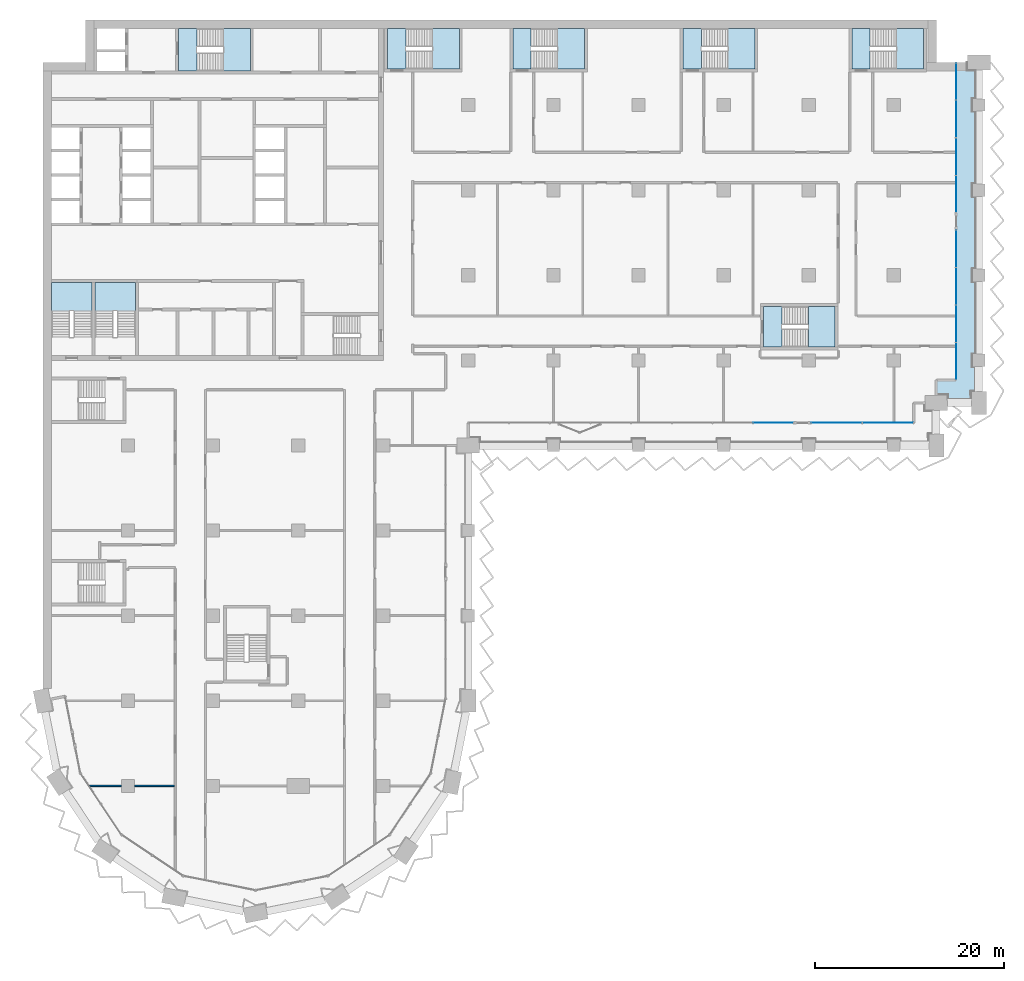
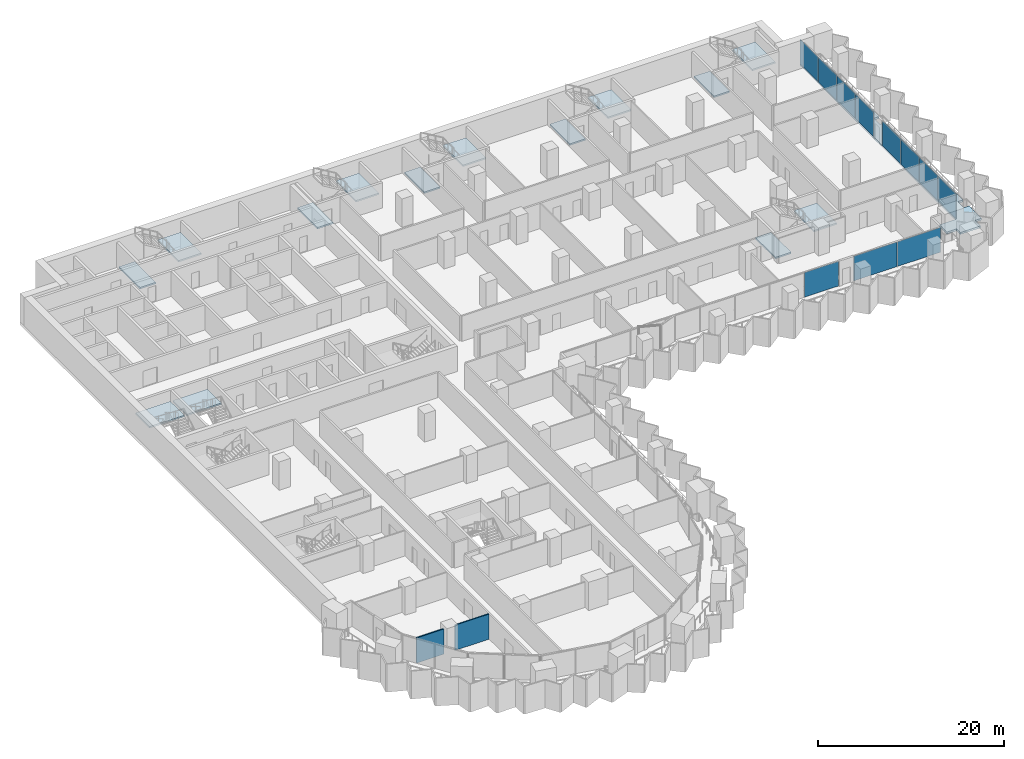
# One storey, part 9 of 28: 15 slabs, 11 plates, 2 walls, 12 elements without a shape of their own.
"""IFC4 building model written with IfcOpenShell, lengths in metres."""

from ifc_helpers import new_model, si_unit, direction, frame, frame_2d, origin, origin_2d, place, context, subcontext, project, spatial, polyline, rectangle, outline, extrude, material, layer, layer_set, type_object, element, aggregate, save


model = new_model("IFC4")

# Units and contexts
model_context = context("Model", 3, precision=1e-05, world=origin(), true_north=direction((0.0, 1.0)))
body_context = subcontext(model_context, "Body", "Model", "MODEL_VIEW")
ifc_project = project(units=[si_unit("LENGTHUNIT", "METRE"), si_unit("AREAUNIT", "SQUARE_METRE"), si_unit("VOLUMEUNIT", "CUBIC_METRE"), si_unit("PLANEANGLEUNIT", "RADIAN"), si_unit("MASSUNIT", "GRAM", prefix="KILO")], contexts=[model_context])

# Site, building, storey
site_placement = place(None, origin())
site = spatial("IfcSite", under=ifc_project, at=site_placement, CompositionType="ELEMENT")
building_placement = place(site_placement, origin())
building = spatial("IfcBuilding", under=site, at=building_placement, Name="Hunhe Ridgeline Campus", CompositionType="ELEMENT")
storey_placement = place(building_placement, frame((0.0, 0.0, 43.199951171875)))
storey = spatial("IfcBuildingStorey", under=building, at=storey_placement, Name="L09", CompositionType="ELEMENT", Elevation=43.199951171875)

# Curtain wall, plate
ifc_material_1 = material(Name="Aluminium 6063", Category="aluminium")
curtain_wall_type = type_object("IfcCurtainWallType", Name="Curtain wall CW-1", PredefinedType="NOTDEFINED", material=ifc_material_1)
curtain_wall_1_placement = place(storey_placement, origin())
curtain_wall_1 = element("IfcCurtainWall", 1, at=curtain_wall_1_placement, inside=storey, type_object=curtain_wall_type, Name="Curtain wall 13", PredefinedType="NOTDEFINED")
ifc_material_2 = material(Name="Low-e laminated glass", Category="glass")
ifc_layer_1 = layer(ifc_material_2, 0.028076171875)
ifc_layer_set_1 = layer_set([ifc_layer_1], Name="Curtain wall glass panel 28 low-e laminated")
plate_type = type_object("IfcPlateType", Name="Curtain wall glass panel 28 low-e laminated", PredefinedType="CURTAIN_PANEL", material=ifc_layer_set_1)
plate_1_placement = place(storey_placement, frame((77.257568359375, 56.40087890625, 0.0), z_axis=(0.0, 0.0, 1.0), x_axis=(0.999999999994, 3.602063e-06, 0.0)))
plate_1 = element("IfcPlate", 2, at=plate_1_placement, type_object=plate_type, Name="CW-1 panel 8", PredefinedType="CURTAIN_PANEL", context=body_context, shape_type="SweptSolid", body=[
    extrude(rectangle(XDim=4.213134765625, YDim=0.028076171875, at=origin_2d()), origin(), (0.0, 0.0, 1.0), 3.239990234375),
])
aggregate(curtain_wall_1, [plate_1])

# Curtain wall, plates
curtain_wall_2_placement = place(storey_placement, origin())
curtain_wall_2 = element("IfcCurtainWall", 3, at=curtain_wall_2_placement, inside=storey, type_object=curtain_wall_type, Name="Curtain wall 14", PredefinedType="NOTDEFINED")
plate_2_placement = place(storey_placement, frame((83.957763671875, 56.40087890625, 0.0), z_axis=(0.0, 0.0, 1.0), x_axis=(0.999999999994, 3.58625e-06, 0.0)))
plate_2 = element("IfcPlate", 4, at=plate_2_placement, type_object=plate_type, Name="CW-1 panel 1", PredefinedType="CURTAIN_PANEL", context=body_context, shape_type="SweptSolid", body=[
    extrude(rectangle(XDim=5.347412109375, YDim=0.028076171875, at=origin_2d()), origin(), (0.0, 0.0, 1.0), 3.239990234375),
])
plate_3_placement = place(storey_placement, frame((89.365234375, 56.40087890625, 0.0), z_axis=(0.0, 0.0, 1.0), x_axis=(0.999999999994, 3.58625e-06, 0.0)))
plate_3 = element("IfcPlate", 5, at=plate_3_placement, type_object=plate_type, Name="CW-1 panel 2", PredefinedType="CURTAIN_PANEL", context=body_context, shape_type="SweptSolid", body=[
    extrude(rectangle(XDim=5.347412109375, YDim=0.028076171875, at=origin_2d()), origin(), (0.0, 0.0, 1.0), 3.239990234375),
])
aggregate(curtain_wall_2, [plate_2, plate_3])

curtain_wall_3_placement = place(storey_placement, origin())
curtain_wall_3 = element("IfcCurtainWall", 6, at=curtain_wall_3_placement, inside=storey, type_object=curtain_wall_type, Name="Curtain wall 15", PredefinedType="NOTDEFINED")
plate_4_placement = place(storey_placement, frame((96.59912109375, 62.9033203125, 0.0), z_axis=(0.0, 0.0, 1.0), x_axis=(0.0, 1.0, 0.0)))
plate_4 = element("IfcPlate", 7, at=plate_4_placement, type_object=plate_type, Name="CW-1 panel 1", PredefinedType="CURTAIN_PANEL", context=body_context, shape_type="SweptSolid", body=[
    extrude(rectangle(XDim=3.884765625, YDim=0.028076171875, at=origin_2d()), origin(), (0.0, 0.0, 1.0), 3.239990234375),
])
plate_5_placement = place(storey_placement, frame((96.59912109375, 66.86328125, 0.0), z_axis=(0.0, 0.0, 1.0), x_axis=(0.0, 1.0, 0.0)))
plate_5 = element("IfcPlate", 8, at=plate_5_placement, type_object=plate_type, Name="CW-1 panel 2", PredefinedType="CURTAIN_PANEL", context=body_context, shape_type="SweptSolid", body=[
    extrude(rectangle(XDim=3.914794921875, YDim=0.028076171875, at=origin_2d()), origin(), (0.0, 0.0, 1.0), 3.239990234375),
])
plate_6_placement = place(storey_placement, frame((96.59912109375, 70.838134765625, 0.0), z_axis=(0.0, 0.0, 1.0), x_axis=(0.0, 1.0, 0.0)))
plate_6 = element("IfcPlate", 9, at=plate_6_placement, type_object=plate_type, Name="CW-1 panel 3", PredefinedType="CURTAIN_PANEL", context=body_context, shape_type="SweptSolid", body=[
    extrude(rectangle(XDim=3.914794921875, YDim=0.028076171875, at=origin_2d()), origin(), (0.0, 0.0, 1.0), 3.239990234375),
])
plate_7_placement = place(storey_placement, frame((96.59912109375, 74.798095703125, 0.0), z_axis=(0.0, 0.0, 1.0), x_axis=(0.0, 1.0, 0.0)))
plate_7 = element("IfcPlate", 10, at=plate_7_placement, type_object=plate_type, Name="CW-1 panel 4", PredefinedType="CURTAIN_PANEL", context=body_context, shape_type="SweptSolid", body=[
    extrude(rectangle(XDim=3.884765625, YDim=0.028076171875, at=origin_2d()), origin(), (0.0, 0.0, 1.0), 3.239990234375),
])
aggregate(curtain_wall_3, [plate_4, plate_5, plate_6, plate_7])

curtain_wall_4_placement = place(storey_placement, origin())
curtain_wall_4 = element("IfcCurtainWall", 11, at=curtain_wall_4_placement, inside=storey, type_object=curtain_wall_type, Name="Curtain wall 16", PredefinedType="NOTDEFINED")
plate_8_placement = place(storey_placement, frame((96.59912109375, 80.60302734375, 0.0), z_axis=(0.0, 0.0, 1.0), x_axis=(0.0, 1.0, 0.0)))
plate_8 = element("IfcPlate", 12, at=plate_8_placement, type_object=plate_type, Name="CW-1 panel 1", PredefinedType="CURTAIN_PANEL", context=body_context, shape_type="SweptSolid", body=[
    extrude(rectangle(XDim=3.884765625, YDim=0.028076171875, at=origin_2d()), origin(), (0.0, 0.0, 1.0), 3.239990234375),
])
plate_9_placement = place(storey_placement, frame((96.59912109375, 84.562744140625, 0.0), z_axis=(0.0, 0.0, 1.0), x_axis=(0.0, 1.0, 0.0)))
plate_9 = element("IfcPlate", 13, at=plate_9_placement, type_object=plate_type, Name="CW-1 panel 2", PredefinedType="CURTAIN_PANEL", context=body_context, shape_type="SweptSolid", body=[
    extrude(rectangle(XDim=3.914794921875, YDim=0.028076171875, at=origin_2d()), origin(), (0.0, 0.0, 1.0), 3.239990234375),
])
plate_10_placement = place(storey_placement, frame((96.59912109375, 88.53759765625, 0.0), z_axis=(0.0, 0.0, 1.0), x_axis=(0.0, 1.0, 0.0)))
plate_10 = element("IfcPlate", 14, at=plate_10_placement, type_object=plate_type, Name="CW-1 panel 3", PredefinedType="CURTAIN_PANEL", context=body_context, shape_type="SweptSolid", body=[
    extrude(rectangle(XDim=3.914794921875, YDim=0.028076171875, at=origin_2d()), origin(), (0.0, 0.0, 1.0), 3.239990234375),
])
plate_11_placement = place(storey_placement, frame((96.59912109375, 92.49755859375, 0.0), z_axis=(0.0, 0.0, 1.0), x_axis=(0.0, 1.0, 0.0)))
plate_11 = element("IfcPlate", 15, at=plate_11_placement, type_object=plate_type, Name="CW-1 panel 4", PredefinedType="CURTAIN_PANEL", context=body_context, shape_type="SweptSolid", body=[
    extrude(rectangle(XDim=3.884765625, YDim=0.028076171875, at=origin_2d()), origin(), (0.0, 0.0, 1.0), 3.239990234375),
])
aggregate(curtain_wall_4, [plate_8, plate_9, plate_10, plate_11])

# Slab
ifc_material_3 = material(Name="Concrete C40", Category="concrete")
ifc_layer_2 = layer(ifc_material_3, 0.25)
ifc_layer_set_2 = layer_set([ifc_layer_2], Name="Loggia slab 250 Concrete C40")
slab_type_1 = type_object("IfcSlabType", Name="Loggia slab 250 Concrete C40", PredefinedType="FLOOR", material=ifc_layer_set_2)
slab_1_placement = place(storey_placement, frame((0.0, 0.0, -0.25)))
element("IfcSlab", 16, at=slab_1_placement, inside=storey, type_object=slab_type_1, Name="Loggia slab 3", PredefinedType="FLOOR", context=body_context, shape_type="SweptSolid", body=[
    extrude(outline(polyline([(94.5, 59.300048828125), (95.699951171875, 59.300048828125), (95.699951171875, 58.5), (98.199951171875, 58.5), (98.199951171875, 59.699951171875), (99.0, 59.699951171875), (99.0, 62.35009765625), (98.35009765625, 62.35009765625), (98.35009765625, 63.64990234375), (99.0, 63.64990234375), (99.0, 71.35009765625), (98.35009765625, 71.35009765625), (98.35009765625, 72.64990234375), (99.0, 72.64990234375), (99.0, 80.35009765625), (98.35009765625, 80.35009765625), (98.35009765625, 81.64990234375), (99.0, 81.64990234375), (99.0, 89.35009765625), (98.35009765625, 89.35009765625), (98.35009765625, 90.64990234375), (99.0, 90.64990234375), (99.0, 93.699951171875), (97.800048828125, 93.699951171875), (97.800048828125, 94.5), (96.60009765625, 94.5), (96.60009765625, 60.89990234375), (94.5, 60.89990234375), (94.5, 59.300048828125)])), origin(), (0.0, 0.0, 1.0), 0.25),
])

# Stair, slab
stair_type = type_object("IfcStairType", Name="Reinforced concrete dog-leg stair 1950 Concrete C40", PredefinedType="HALF_TURN_STAIR", material=ifc_material_3)
stair_1_placement = place(storey_placement, origin())
stair_1 = element("IfcStair", 17, at=stair_1_placement, inside=storey, type_object=stair_type, Name="L09 S1", PredefinedType="HALF_TURN_STAIR")
ifc_layer_3 = layer(ifc_material_3, 0.199951171875)
ifc_layer_set_3 = layer_set([ifc_layer_3], Name="Reinforced concrete stair landing 200 Concrete C40")
slab_type_2 = type_object("IfcSlabType", Name="Reinforced concrete stair landing 200 Concrete C40", PredefinedType="LANDING", material=ifc_layer_set_3)
slab_2_placement = place(storey_placement, frame((0.0, 0.0, 1.650146484375)))
slab_2 = element("IfcSlab", 18, at=slab_2_placement, type_object=slab_type_2, Name="ST1 landing 1", PredefinedType="LANDING", context=body_context, shape_type="SweptSolid", body=[
    extrude(outline(polyline([(19.10009765625, 93.60009765625), (21.949951171875, 93.60009765625), (21.949951171875, 98.10009765625), (19.10009765625, 98.10009765625), (19.10009765625, 93.60009765625)])), origin(), (0.0, 0.0, 1.0), 0.199951171875),
])
aggregate(stair_1, [slab_2])

# Slab
slab_3_placement = place(storey_placement, frame((0.0, 0.0, -0.199951171875)))
element("IfcSlab", 19, at=slab_3_placement, inside=storey, type_object=slab_type_2, Name="L09 stair S1 floor landing", PredefinedType="LANDING", context=body_context, shape_type="SweptSolid", body=[
    extrude(outline(polyline([(14.35009765625, 93.60009765625), (16.300048828125, 93.60009765625), (16.300048828125, 98.10009765625), (14.35009765625, 98.10009765625), (14.35009765625, 93.60009765625)])), origin(), (0.0, 0.0, 1.0), 0.199951171875),
])

# Stair, slab
stair_2_placement = place(storey_placement, origin())
stair_2 = element("IfcStair", 20, at=stair_2_placement, inside=storey, type_object=stair_type, Name="L09 S3", PredefinedType="HALF_TURN_STAIR")
slab_4_placement = place(storey_placement, frame((0.0, 0.0, 1.650146484375)))
slab_4 = element("IfcSlab", 21, at=slab_4_placement, type_object=slab_type_2, Name="ST3 landing 1", PredefinedType="LANDING", context=body_context, shape_type="SweptSolid", body=[
    extrude(outline(polyline([(5.199951171875, 68.25), (5.199951171875, 71.25), (0.89990234375, 71.25), (0.89990234375, 68.25), (5.199951171875, 68.25)])), origin(), (0.0, 0.0, 1.0), 0.199951171875),
])
aggregate(stair_2, [slab_4])

stair_3_placement = place(storey_placement, origin())
stair_3 = element("IfcStair", 22, at=stair_3_placement, inside=storey, type_object=stair_type, Name="L09 S4", PredefinedType="HALF_TURN_STAIR")
slab_5_placement = place(storey_placement, frame((0.0, 0.0, 1.650146484375)))
slab_5 = element("IfcSlab", 23, at=slab_5_placement, type_object=slab_type_2, Name="ST4 landing 1", PredefinedType="LANDING", context=body_context, shape_type="SweptSolid", body=[
    extrude(outline(polyline([(9.800048828125, 68.25), (9.800048828125, 71.25), (5.5, 71.25), (5.5, 68.25), (9.800048828125, 68.25)])), origin(), (0.0, 0.0, 1.0), 0.199951171875),
])
aggregate(stair_3, [slab_5])

stair_4_placement = place(storey_placement, origin())
stair_4 = element("IfcStair", 24, at=stair_4_placement, inside=storey, type_object=stair_type, Name="L09 E1", PredefinedType="HALF_TURN_STAIR")
slab_6_placement = place(storey_placement, frame((0.0, 0.0, 1.650146484375)))
slab_6 = element("IfcSlab", 25, at=slab_6_placement, type_object=slab_type_2, Name="ST5 landing 1", PredefinedType="LANDING", context=body_context, shape_type="SweptSolid", body=[
    extrude(outline(polyline([(41.199951171875, 93.800048828125), (44.050048828125, 93.800048828125), (44.050048828125, 98.10009765625), (41.199951171875, 98.10009765625), (41.199951171875, 93.800048828125)])), origin(), (0.0, 0.0, 1.0), 0.199951171875),
])
aggregate(stair_4, [slab_6])

# Slab
slab_7_placement = place(storey_placement, frame((0.0, 0.0, -0.199951171875)))
element("IfcSlab", 26, at=slab_7_placement, inside=storey, type_object=slab_type_2, Name="L09 stair E1 floor landing", PredefinedType="LANDING", context=body_context, shape_type="SweptSolid", body=[
    extrude(outline(polyline([(36.449951171875, 93.800048828125), (38.39990234375, 93.800048828125), (38.39990234375, 98.10009765625), (36.449951171875, 98.10009765625), (36.449951171875, 93.800048828125)])), origin(), (0.0, 0.0, 1.0), 0.199951171875),
])

# Stair, slab
stair_5_placement = place(storey_placement, origin())
stair_5 = element("IfcStair", 27, at=stair_5_placement, inside=storey, type_object=stair_type, Name="L09 E2", PredefinedType="HALF_TURN_STAIR")
slab_8_placement = place(storey_placement, frame((0.0, 0.0, 1.650146484375)))
slab_8 = element("IfcSlab", 28, at=slab_8_placement, type_object=slab_type_2, Name="ST6 landing 1", PredefinedType="LANDING", context=body_context, shape_type="SweptSolid", body=[
    extrude(outline(polyline([(54.449951171875, 93.800048828125), (57.300048828125, 93.800048828125), (57.300048828125, 98.10009765625), (54.449951171875, 98.10009765625), (54.449951171875, 93.800048828125)])), origin(), (0.0, 0.0, 1.0), 0.199951171875),
])
aggregate(stair_5, [slab_8])

# Slab
slab_9_placement = place(storey_placement, frame((0.0, 0.0, -0.199951171875)))
element("IfcSlab", 29, at=slab_9_placement, inside=storey, type_object=slab_type_2, Name="L09 stair E2 floor landing", PredefinedType="LANDING", context=body_context, shape_type="SweptSolid", body=[
    extrude(outline(polyline([(49.699951171875, 93.800048828125), (51.64990234375, 93.800048828125), (51.64990234375, 98.10009765625), (49.699951171875, 98.10009765625), (49.699951171875, 93.800048828125)])), origin(), (0.0, 0.0, 1.0), 0.199951171875),
])

# Stair, slab
stair_6_placement = place(storey_placement, origin())
stair_6 = element("IfcStair", 30, at=stair_6_placement, inside=storey, type_object=stair_type, Name="L09 E3", PredefinedType="HALF_TURN_STAIR")
slab_10_placement = place(storey_placement, frame((0.0, 0.0, 1.650146484375)))
slab_10 = element("IfcSlab", 31, at=slab_10_placement, type_object=slab_type_2, Name="ST7 landing 1", PredefinedType="LANDING", context=body_context, shape_type="SweptSolid", body=[
    extrude(outline(polyline([(72.449951171875, 93.800048828125), (75.300048828125, 93.800048828125), (75.300048828125, 98.10009765625), (72.449951171875, 98.10009765625), (72.449951171875, 93.800048828125)])), origin(), (0.0, 0.0, 1.0), 0.199951171875),
])
aggregate(stair_6, [slab_10])

# Slab
slab_11_placement = place(storey_placement, frame((0.0, 0.0, -0.199951171875)))
element("IfcSlab", 32, at=slab_11_placement, inside=storey, type_object=slab_type_2, Name="L09 stair E3 floor landing", PredefinedType="LANDING", context=body_context, shape_type="SweptSolid", body=[
    extrude(outline(polyline([(67.699951171875, 93.800048828125), (69.64990234375, 93.800048828125), (69.64990234375, 98.10009765625), (67.699951171875, 98.10009765625), (67.699951171875, 93.800048828125)])), origin(), (0.0, 0.0, 1.0), 0.199951171875),
])

# Stair, slab
stair_7_placement = place(storey_placement, origin())
stair_7 = element("IfcStair", 33, at=stair_7_placement, inside=storey, type_object=stair_type, Name="L09 E4", PredefinedType="HALF_TURN_STAIR")
slab_12_placement = place(storey_placement, frame((0.0, 0.0, 1.650146484375)))
slab_12 = element("IfcSlab", 34, at=slab_12_placement, type_object=slab_type_2, Name="ST8 landing 1", PredefinedType="LANDING", context=body_context, shape_type="SweptSolid", body=[
    extrude(outline(polyline([(90.300048828125, 93.800048828125), (93.14990234375, 93.800048828125), (93.14990234375, 98.10009765625), (90.300048828125, 98.10009765625), (90.300048828125, 93.800048828125)])), origin(), (0.0, 0.0, 1.0), 0.199951171875),
])
aggregate(stair_7, [slab_12])

# Slab
slab_13_placement = place(storey_placement, frame((0.0, 0.0, -0.199951171875)))
element("IfcSlab", 35, at=slab_13_placement, inside=storey, type_object=slab_type_2, Name="L09 stair E4 floor landing", PredefinedType="LANDING", context=body_context, shape_type="SweptSolid", body=[
    extrude(outline(polyline([(85.550048828125, 93.800048828125), (87.5, 93.800048828125), (87.5, 98.10009765625), (85.550048828125, 98.10009765625), (85.550048828125, 93.800048828125)])), origin(), (0.0, 0.0, 1.0), 0.199951171875),
])

# Stair, slab
stair_8_placement = place(storey_placement, origin())
stair_8 = element("IfcStair", 36, at=stair_8_placement, inside=storey, type_object=stair_type, Name="L09 E5", PredefinedType="HALF_TURN_STAIR")
slab_14_placement = place(storey_placement, frame((0.0, 0.0, 1.650146484375)))
slab_14 = element("IfcSlab", 37, at=slab_14_placement, type_object=slab_type_2, Name="ST10 landing 1", PredefinedType="LANDING", context=body_context, shape_type="SweptSolid", body=[
    extrude(outline(polyline([(80.949951171875, 64.39990234375), (83.800048828125, 64.39990234375), (83.800048828125, 68.699951171875), (80.949951171875, 68.699951171875), (80.949951171875, 64.39990234375)])), origin(), (0.0, 0.0, 1.0), 0.199951171875),
])
aggregate(stair_8, [slab_14])

# Slab
slab_15_placement = place(storey_placement, frame((0.0, 0.0, -0.199951171875)))
element("IfcSlab", 38, at=slab_15_placement, inside=storey, type_object=slab_type_2, Name="L09 stair E5 floor landing", PredefinedType="LANDING", context=body_context, shape_type="SweptSolid", body=[
    extrude(outline(polyline([(76.199951171875, 64.39990234375), (78.14990234375, 64.39990234375), (78.14990234375, 68.699951171875), (76.199951171875, 68.699951171875), (76.199951171875, 64.39990234375)])), origin(), (0.0, 0.0, 1.0), 0.199951171875),
])

# Walls
ifc_material_4 = material(Name="Gypsum board partition")
ifc_layer_4 = layer(ifc_material_4, 0.14990234375)
ifc_layer_set_4 = layer_set([ifc_layer_4], Name="Room partition 150 gypsum board on steel studs")
wall_type = type_object("IfcWallType", Name="Room partition 150 gypsum board on steel studs", PredefinedType="PARTITIONING", material=ifc_layer_set_4)
wall_1_placement = place(storey_placement, frame((4.925537109375, 18.0, 0.0), z_axis=(0.0, 0.0, 1.0), x_axis=(1.0, 0.0, 0.0)))
element("IfcWall", 39, at=wall_1_placement, inside=storey, type_object=wall_type, Name="F-L09-wall-001", PredefinedType="PARTITIONING", context=body_context, shape_type="SweptSolid", body=[
    extrude(rectangle(XDim=3.37451171875, YDim=0.14990234375, at=frame_2d((1.687255859375, 0.0))), origin(), (0.0, 0.0, 1.0), 3.300048828125),
])
wall_2_placement = place(storey_placement, frame((9.699951171875, 18.0, 0.0), z_axis=(0.0, 0.0, 1.0), x_axis=(1.0, 0.0, 0.0)))
element("IfcWall", 40, at=wall_2_placement, inside=storey, type_object=wall_type, Name="F-L09-wall-002", PredefinedType="PARTITIONING", context=body_context, shape_type="SweptSolid", body=[
    extrude(rectangle(XDim=4.199951171875, YDim=0.14990234375, at=frame_2d((2.10009765625, 0.0))), origin(), (0.0, 0.0, 1.0), 3.300048828125),
])

save(model, "model.ifc")
